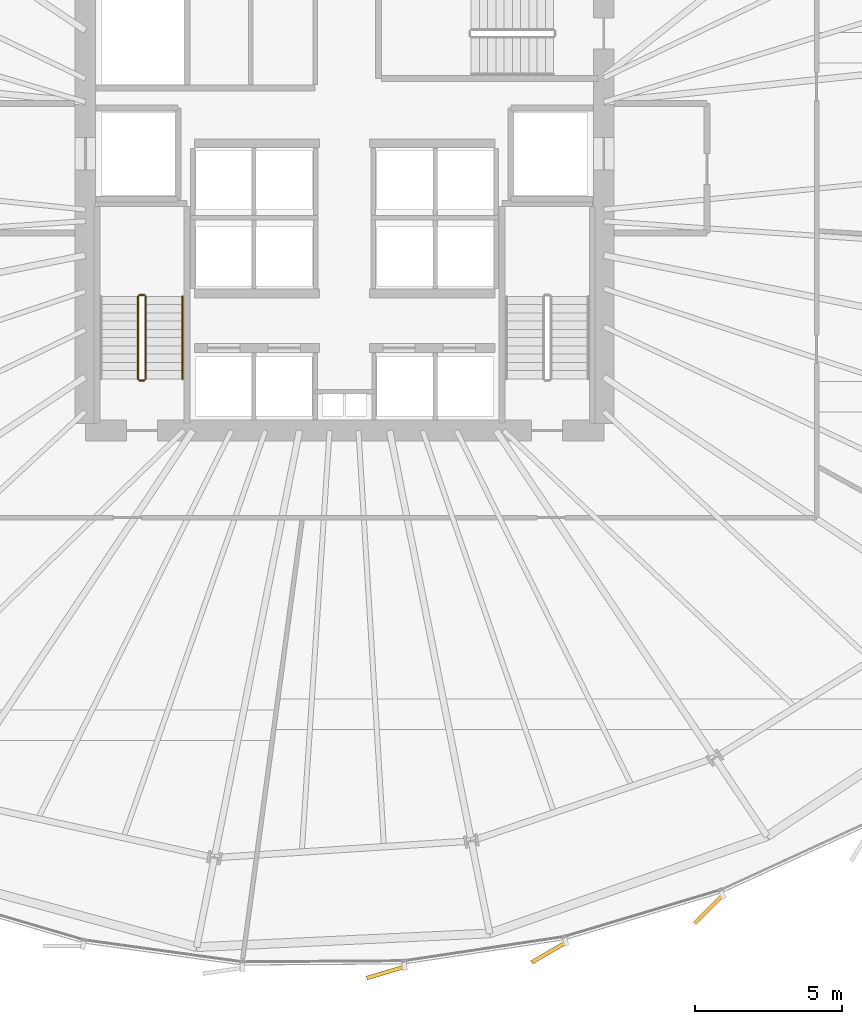
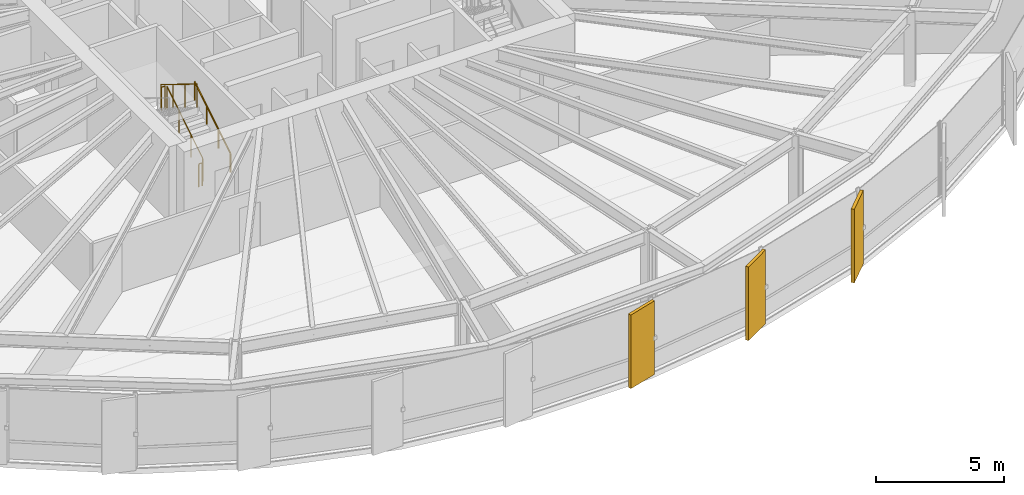
# One storey, part 34 of 37: 5 railings, 3 coverings.
"""IFC4 building model written with IfcOpenShell, lengths in metres."""

from ifc_helpers import new_model, si_unit, direction, frame, origin, origin_2d, place, context, subcontext, project, spatial, rectangle, circle, extrude, source, transform, mapped, material, layer, layer_set, type_object, element, save


model = new_model("IFC4")

# Units and contexts
model_context = context("Model", 3, precision=1e-05, world=origin(), true_north=direction((0.0, 1.0)))
body_context = subcontext(model_context, "Body", "Model", "MODEL_VIEW")
ifc_project = project(units=[si_unit("LENGTHUNIT", "METRE"), si_unit("AREAUNIT", "SQUARE_METRE"), si_unit("VOLUMEUNIT", "CUBIC_METRE"), si_unit("PLANEANGLEUNIT", "RADIAN"), si_unit("MASSUNIT", "GRAM", prefix="KILO"), si_unit("THERMODYNAMICTEMPERATUREUNIT", "KELVIN")], contexts=[model_context])

# Site, building, storey
site_placement = place(None, origin())
site = spatial("IfcSite", under=ifc_project, at=site_placement, CompositionType="ELEMENT")
building_placement = place(site_placement, origin())
building = spatial("IfcBuilding", under=site, at=building_placement, Name="Kethvar Cultural Tower", CompositionType="ELEMENT")
storey_placement = place(building_placement, frame((0.0, 0.0, 48.60009765625)))
storey = spatial("IfcBuildingStorey", under=building, at=storey_placement, Name="L11", CompositionType="ELEMENT", Elevation=48.60009765625)

# Railings
ifc_material_1 = material(Name="Steel S355J2", Category="steel")
railing_type_1 = type_object("IfcRailingType", Name="RL-STAIR-GUARD", PredefinedType="BALUSTRADE", material=ifc_material_1)
railing_1_placement = place(storey_placement, frame((40.050048828125, 21.85009765625, 0.172607421875)))
element("IfcRailing", 1, at=railing_1_placement, inside=storey, type_object=railing_type_1, Name="L11 ST-01 stair guard 1", PredefinedType="BALUSTRADE", context=body_context, shape_type="SweptSolid", body=[
    extrude(circle(Radius=0.02392578125, at=origin_2d()), frame((0.0, 0.0, 1.09619140625), z_axis=(0.0, 0.851069175582, 0.525053576669), x_axis=(-1.0, 0.0, 0.0)), (0.0, 0.0, 1.0), 3.289794921875),
    extrude(circle(Radius=0.02099609375, at=origin_2d()), origin(), (0.0, 0.0, 1.0), 1.072021484375),
    extrude(circle(Radius=0.02099609375, at=origin_2d()), frame((0.0, 0.933349609375, 0.57568359375)), (0.0, 0.0, 1.0), 1.072021484375),
    extrude(circle(Radius=0.02099609375, at=origin_2d()), frame((0.0, 1.866455078125, 1.151611328125)), (0.0, 0.0, 1.0), 1.072021484375),
    extrude(circle(Radius=0.02099609375, at=origin_2d()), frame((0.0, 2.7998046875, 1.727294921875)), (0.0, 0.0, 1.0), 1.072021484375),
])
railing_2_placement = place(storey_placement, frame((40.0, 24.699951171875, 1.89990234375)))
element("IfcRailing", 2, at=railing_2_placement, inside=storey, type_object=railing_type_1, Name="L11 ST-01 stair guard 2", PredefinedType="BALUSTRADE", context=body_context, shape_type="SweptSolid", body=[
    extrude(circle(Radius=0.02392578125, at=origin_2d()), frame((0.0, 0.0, 1.09619140625), z_axis=(-1.0, 0.0, 0.0), x_axis=(0.0, -1.0, 0.0)), (0.0, 0.0, 1.0), 0.159912109375),
    extrude(circle(Radius=0.02099609375, at=origin_2d()), origin(), (0.0, 0.0, 1.0), 1.072021484375),
    extrude(circle(Radius=0.02099609375, at=origin_2d()), frame((-0.159912109375, 0.0, 0.0)), (0.0, 0.0, 1.0), 1.072021484375),
])
railing_3_placement = place(storey_placement, frame((39.7900390625, 24.64990234375, 2.072509765625)))
element("IfcRailing", 3, at=railing_3_placement, inside=storey, type_object=railing_type_1, Name="L11 ST-01 stair guard 3", PredefinedType="BALUSTRADE", context=body_context, shape_type="SweptSolid", body=[
    extrude(circle(Radius=0.02392578125, at=origin_2d()), frame((0.0, 0.0, 1.09619140625), z_axis=(0.0, -0.851069175582, 0.525053576669), x_axis=(1.0, 0.0, 0.0)), (0.0, 0.0, 1.0), 3.289794921875),
    extrude(circle(Radius=0.02099609375, at=origin_2d()), origin(), (0.0, 0.0, 1.0), 1.072021484375),
    extrude(circle(Radius=0.02099609375, at=origin_2d()), frame((0.0, -0.933349609375, 0.57568359375)), (0.0, 0.0, 1.0), 1.072021484375),
    extrude(circle(Radius=0.02099609375, at=origin_2d()), frame((0.0, -1.866455078125, 1.151611328125)), (0.0, 0.0, 1.0), 1.072021484375),
    extrude(circle(Radius=0.02099609375, at=origin_2d()), frame((0.0, -2.7998046875, 1.727294921875)), (0.0, 0.0, 1.0), 1.072021484375),
])
railing_4_placement = place(storey_placement, frame((40.0, 21.800048828125, 0.0)))
element("IfcRailing", 4, at=railing_4_placement, inside=storey, type_object=railing_type_1, Name="L11 ST-01 stair guard 4", PredefinedType="BALUSTRADE", context=body_context, shape_type="SweptSolid", body=[
    extrude(circle(Radius=0.02392578125, at=origin_2d()), frame((0.0, 0.0, 1.09619140625), z_axis=(-1.0, 0.0, 0.0), x_axis=(0.0, -1.0, 0.0)), (0.0, 0.0, 1.0), 0.159912109375),
    extrude(circle(Radius=0.02099609375, at=origin_2d()), origin(), (0.0, 0.0, 1.0), 1.072021484375),
    extrude(circle(Radius=0.02099609375, at=origin_2d()), frame((-0.159912109375, 0.0, 0.0)), (0.0, 0.0, 1.0), 1.072021484375),
])
railing_type_2 = type_object("IfcRailingType", Name="RL-STAIR-HANDRAIL", PredefinedType="HANDRAIL", material=ifc_material_1)
railing_5_placement = place(storey_placement, frame((41.300048828125, 21.85009765625, 0.172607421875)))
element("IfcRailing", 5, at=railing_5_placement, inside=storey, type_object=railing_type_2, Name="L11 ST-01 stair handrail 1", PredefinedType="HANDRAIL", context=body_context, shape_type="SweptSolid", body=[
    extrude(circle(Radius=0.02392578125, at=origin_2d()), frame((0.0, 0.0, 0.8759765625), z_axis=(0.0, 0.851069175582, 0.525053576669), x_axis=(-1.0, 0.0, 0.0)), (0.0, 0.0, 1.0), 3.289794921875),
    extrude(circle(Radius=0.02099609375, at=origin_2d()), origin(), (0.0, 0.0, 1.0), 0.851806640625),
    extrude(circle(Radius=0.02099609375, at=origin_2d()), frame((0.0, 0.933349609375, 0.57568359375)), (0.0, 0.0, 1.0), 0.851806640625),
    extrude(circle(Radius=0.02099609375, at=origin_2d()), frame((0.0, 1.866455078125, 1.151611328125)), (0.0, 0.0, 1.0), 0.851806640625),
    extrude(circle(Radius=0.02099609375, at=origin_2d()), frame((0.0, 2.7998046875, 1.727294921875)), (0.0, 0.0, 1.0), 0.851806640625),
])

# Coverings
ifc_material_2 = material(Name="Extruded Architectural Terracotta", Category="masonry")
ifc_layer = layer(ifc_material_2, 0.135009765625, Name="Extruded Architectural Terracotta", Category="masonry")
ifc_layer_set = layer_set([ifc_layer], Name="Extruded Architectural Terracotta (135 mm)")
covering_type = type_object("IfcCoveringType", Name="Terracotta Facade Fin FIN-01", PredefinedType="CLADDING", material=ifc_layer_set)
shared_shape = source(origin(), body_context, "Body", "SweptSolid", [
    extrude(rectangle(XDim=1.35009765625, YDim=0.135009765625, at=origin_2d()), origin(), (0.0, 0.0, 1.0), 3.510009765625),
])
for number, where, z_axis, x_axis, name in (
    (6, (48.19775390625, 1.701904296875, 0.02001953125), (0.0, 0.0, 1.0), (-0.958372421895, -0.285521104212, 0.0), "L11 Vertical Terracotta Fin 5.4"),
    (7, (53.734619140625, 2.380615234375, 0.02001953125), (0.0, 0.0, 1.0), (-0.862954938496, -0.505280886365, 0.0), "L11 Vertical Terracotta Fin 5.5"),
    (8, (59.15966796875, 3.839599609375, 0.02001953125), (0.0, 0.0, 1.0), (-0.708463024765, -0.705747931304, 0.0), "L11 Vertical Terracotta Fin 5.6"),
):
    element("IfcCovering", number, at=place(storey_placement, frame(where, z_axis=z_axis, x_axis=x_axis)), inside=storey, type_object=covering_type, Name=name, PredefinedType="CLADDING", context=body_context, shape_type="MappedRepresentation", body=[
        mapped(shared_shape, transform((0.0, 0.0, 0.0), scale=1.0)),
    ])

save(model, "model.ifc")
